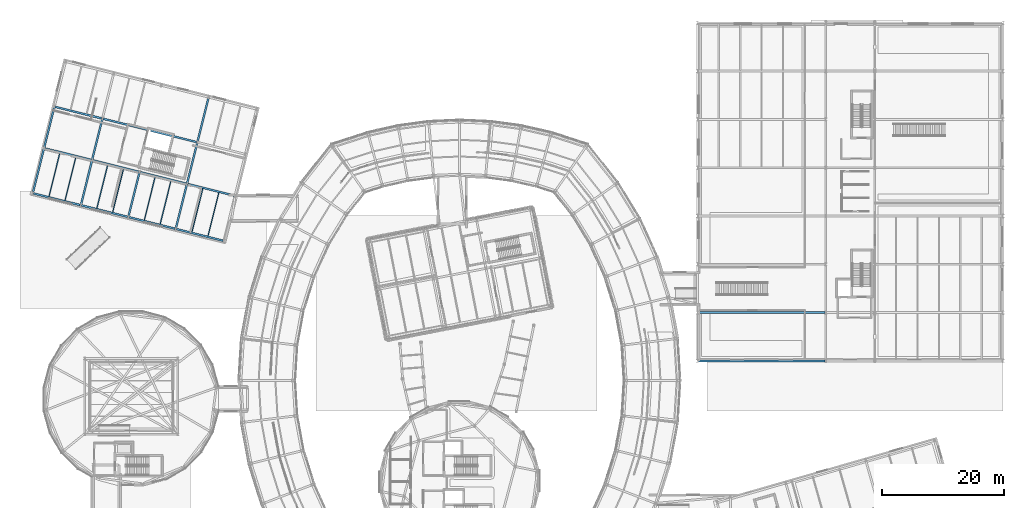
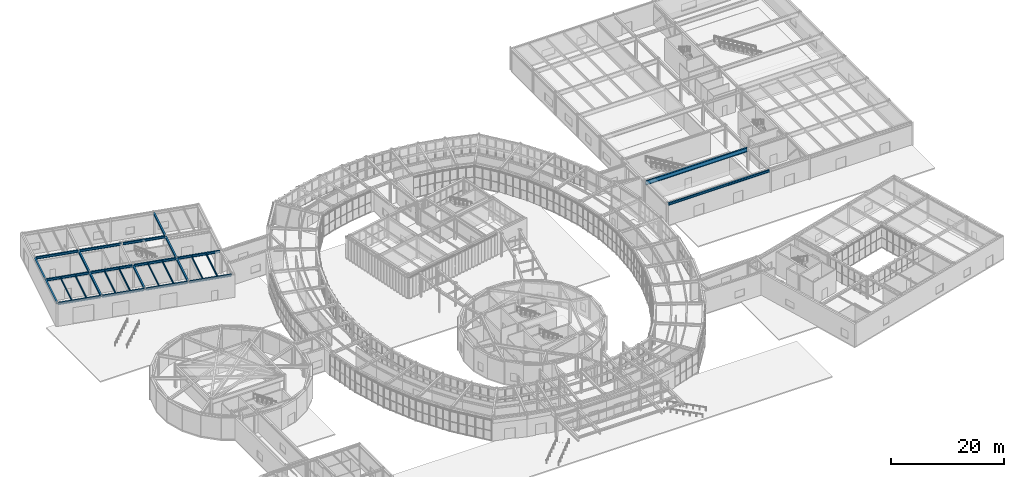
# One storey, part 39 of 97: 29 beams.
"""IFC4 building model written with IfcOpenShell, lengths in metres."""

import ifcopenshell
import ifcopenshell.guid

model = None  # the IFC model being written
_history = None  # IfcOwnerHistory: only IFC2X3 demands one
_inside = {}  # id of a spatial element -> (the spatial element, [elements in it])
_under = {}  # id of a project, library or spatial element -> (it, [spatial elements below it])
_declared = {}  # id of a project -> (the project, [libraries it declares])
_typed = {}  # id of a type object -> (the type object, [elements of that type])
_made_of = {}  # id of a material, layer set ... -> (it, [elements and type objects made of it])


def new_model(schema):
    """Start an empty IFC model of exactly this schema.

    Asked for "IFC4X3", IfcOpenShell would pick the latest addendum, in which some entities
    have other attributes; the version numbers below select the first issue.
    IFC2X3 requires an IfcOwnerHistory on every rooted entity: one is made here for all.
    """
    global model, _history
    if schema == "IFC4X3":
        model = ifcopenshell.file(schema_version=(4, 3, 0, 0))
    else:
        model = ifcopenshell.file(schema=schema)
    _inside.clear()
    _under.clear()
    _declared.clear()
    _typed.clear()
    _made_of.clear()
    _history = None
    if model.schema == "IFC2X3":
        org = make("IfcOrganization", Name="unknown")
        user = make(
            "IfcPersonAndOrganization",
            ThePerson=make("IfcPerson", FamilyName="unknown"),
            TheOrganization=org,
        )
        app = make(
            "IfcApplication",
            ApplicationDeveloper=org,
            Version="unknown",
            ApplicationFullName="unknown",
            ApplicationIdentifier="unknown",
        )
        _history = make(
            "IfcOwnerHistory",
            OwningUser=user,
            OwningApplication=app,
            ChangeAction="ADDED",
            CreationDate=0,
        )
    return model


def make(cls, **values):
    """One entity of the class cls with the attributes given. An attribute that is None is left unset."""
    return model.create_entity(
        cls, **{name: value for name, value in values.items() if value is not None}
    )


def rooted(cls, **values):
    """An entity with a GlobalId (a new one), such as an element, a storey or a relation."""
    return make(cls, GlobalId=ifcopenshell.guid.new(), OwnerHistory=_history, **values)


def si_unit(unit_type, name, prefix=None):
    """IfcSIUnit, for example si_unit("LENGTHUNIT", "METRE", prefix="MILLI")."""
    return make("IfcSIUnit", UnitType=unit_type, Prefix=prefix, Name=name)


def assignment(units):
    """IfcUnitAssignment: the units of a project."""
    return None if units is None else make("IfcUnitAssignment", Units=units)


def point(xyz):
    """IfcCartesianPoint."""
    return None if xyz is None else make("IfcCartesianPoint", Coordinates=xyz)


def direction(xyz):
    """IfcDirection."""
    return None if xyz is None else make("IfcDirection", DirectionRatios=xyz)


def frame(location, z_axis=None, x_axis=None):
    """IfcAxis2Placement3D, a coordinate frame: its origin and axes. An axis left out is left unset."""
    return make(
        "IfcAxis2Placement3D",
        Location=point(location),
        Axis=direction(z_axis),
        RefDirection=direction(x_axis),
    )


def frame_2d(location, x_axis=None):
    """IfcAxis2Placement2D, a coordinate frame in the plane: its origin and x axis."""
    return make(
        "IfcAxis2Placement2D", Location=point(location), RefDirection=direction(x_axis)
    )


def origin():
    """The frame at (0, 0, 0) with its axes left unset."""
    return frame((0.0, 0.0, 0.0))


def origin_2d():
    """The frame at (0, 0) in the plane with its x axis left unset."""
    return frame_2d((0.0, 0.0))


def place(relative_to, where):
    """IfcLocalPlacement: puts the frame where relative to a parent placement (None: the world)."""
    return make(
        "IfcLocalPlacement", PlacementRelTo=relative_to, RelativePlacement=where
    )


def context(
    kind, dimensions, precision=None, world=None, true_north=None, identifier=None
):
    """IfcGeometricRepresentationContext, for example the 3D "Model" context."""
    return make(
        "IfcGeometricRepresentationContext",
        ContextIdentifier=identifier,
        ContextType=kind,
        CoordinateSpaceDimension=dimensions,
        Precision=precision,
        WorldCoordinateSystem=world,
        TrueNorth=true_north,
    )


def subcontext(parent, identifier, kind, view, scale=None):
    """IfcGeometricRepresentationSubContext, for example "Body" below "Model"."""
    return make(
        "IfcGeometricRepresentationSubContext",
        ContextIdentifier=identifier,
        ContextType=kind,
        ParentContext=parent,
        TargetScale=scale,
        TargetView=view,
    )


def project(units=None, contexts=None):
    """IfcProject with its units and contexts."""
    return rooted(
        "IfcProject",
        Name="project",
        RepresentationContexts=contexts,
        UnitsInContext=assignment(units),
    )


def spatial(cls, under=None, at=None, **own):
    """A site, building, storey or space (cls), placed at a placement, below another one or the project."""
    s = rooted(cls, ObjectPlacement=at, **own)
    if under is not None:
        _under.setdefault(under.id(), (under, []))[1].append(s)
    return s


def profile(cls, at=None, kind="AREA", **sizes):
    """A parametric profile (cls). Its sizes go by their IFC names, for example OverallWidth=200.0."""
    return make(cls, ProfileType=kind, Position=at, **sizes)


def i_section(**sizes):
    """IfcIShapeProfileDef."""
    return profile("IfcIShapeProfileDef", **sizes)


def extrude(swept, where, along, depth):
    """IfcExtrudedAreaSolid: the profile swept, set in the frame where, extruded along a direction by depth."""
    return make(
        "IfcExtrudedAreaSolid",
        SweptArea=swept,
        Position=where,
        ExtrudedDirection=direction(along),
        Depth=depth,
    )


def shape(context_of_items, identifier, shape_type, items):
    """IfcShapeRepresentation: the items that make up one representation, for example the "Body"."""
    return make(
        "IfcShapeRepresentation",
        ContextOfItems=context_of_items,
        RepresentationIdentifier=identifier,
        RepresentationType=shape_type,
        Items=items,
    )


def material(Name=None, Category=None):
    """IfcMaterial."""
    return make("IfcMaterial", Name=Name, Category=Category)


def material_profile(
    of_material, cross_section, Name=None, Category=None, Priority=None
):
    """IfcMaterialProfile: a cross section and its material."""
    return make(
        "IfcMaterialProfile",
        Name=Name,
        Material=of_material,
        Profile=cross_section,
        Priority=Priority,
        Category=Category,
    )


def profile_set(profiles, Name=None, composite=None):
    """IfcMaterialProfileSet."""
    return make(
        "IfcMaterialProfileSet",
        Name=Name,
        MaterialProfiles=profiles,
        CompositeProfile=composite,
    )


def made_of(thing, what):
    """Note that an element or type object is made of a material, layer set ...; save() writes the relation."""
    if what is not None:
        _made_of.setdefault(what.id(), (what, []))[1].append(thing)
    return thing


def type_object(cls, material=None, **own):
    """A type object (cls), such as IfcWallType, which elements share."""
    return made_of(rooted(cls, **own), material)


def element(
    cls,
    number,
    at=None,
    inside=None,
    cuts=None,
    type_object=None,
    material=None,
    context=None,
    identifier="Body",
    shape_type=None,
    held_by="IfcProductDefinitionShape",
    body=None,
    shapes=None,
    **own,
):
    """One element of the class cls, such as IfcWall. Its Tag is "e" and its number.

    at: its placement. inside: the storey or other place that contains it. cuts: it is an
    opening in that element (IfcRelVoidsElement). A single representation is given by context,
    identifier, shape_type and body (its items); several are given by shapes. held_by: the class
    of the entity that holds the representations. save() writes the other relations.
    """
    e = rooted(cls, Tag="e%d" % number, ObjectPlacement=at, **own)
    if body is not None:
        shapes = [shape(context, identifier, shape_type, body)]
    if shapes is not None:
        e.Representation = make(held_by, Representations=shapes)
    if inside is not None:
        _inside.setdefault(inside.id(), (inside, []))[1].append(e)
    if cuts is not None:
        rooted(
            "IfcRelVoidsElement", RelatingBuildingElement=cuts, RelatedOpeningElement=e
        )
    if type_object is not None:
        _typed.setdefault(type_object.id(), (type_object, []))[1].append(e)
    return made_of(e, material)


def aggregate(whole, parts):
    """IfcRelAggregates: a whole, such as a stair, and the parts it consists of."""
    return rooted("IfcRelAggregates", RelatingObject=whole, RelatedObjects=parts)


def save(model, path):
    """Write the relations noted so far, then the file.

    IfcRelAggregates (storeys below a building ...), IfcRelContainedInSpatialStructure (elements
    in a storey), IfcRelDefinesByType, IfcRelAssociatesMaterial and IfcRelDeclares: one each for
    every whole, place, type object, material and project.
    """
    for whole, parts in _under.values():
        aggregate(whole, parts)
    for where, things in _inside.values():
        rooted(
            "IfcRelContainedInSpatialStructure",
            RelatedElements=things,
            RelatingStructure=where,
        )
    for kind, things in _typed.values():
        rooted("IfcRelDefinesByType", RelatedObjects=things, RelatingType=kind)
    for what, things in _made_of.values():
        rooted("IfcRelAssociatesMaterial", RelatedObjects=things, RelatingMaterial=what)
    for by, libraries in _declared.values():
        rooted("IfcRelDeclares", RelatingContext=by, RelatedDefinitions=libraries)
    model.write(path)


model = new_model("IFC4")

# Units and contexts
model_context = context("Model", 3, precision=1e-05, world=origin(), true_north=direction((0.0, 1.0)))
body_context = subcontext(model_context, "Body", "Model", "MODEL_VIEW")
ifc_project = project(units=[si_unit("LENGTHUNIT", "METRE"), si_unit("AREAUNIT", "SQUARE_METRE"), si_unit("VOLUMEUNIT", "CUBIC_METRE"), si_unit("PLANEANGLEUNIT", "RADIAN"), si_unit("MASSUNIT", "GRAM", prefix="KILO")], contexts=[model_context])

# Site, building, storey
site_placement = place(None, origin())
site = spatial("IfcSite", under=ifc_project, at=site_placement, CompositionType="ELEMENT")
building_placement = place(site_placement, origin())
building = spatial("IfcBuilding", under=site, at=building_placement, Name="Varnklinge Art Gallery", CompositionType="ELEMENT")
storey_placement = place(building_placement, origin())
storey = spatial("IfcBuildingStorey", under=building, at=storey_placement, Name="L00", CompositionType="ELEMENT", Elevation=0.0)

# Beams
ifc_material_1 = material(Name="Steel S355", Category="steel")
ifc_material_profile_1 = material_profile(ifc_material_1, i_section(OverallWidth=0.300048828125, OverallDepth=0.89990234375, WebThickness=0.0185546875, FlangeThickness=0.034912109375, FilletRadius=0.030029296875, at=origin_2d()), Name="HEB 900")
ifc_profile_set_1 = profile_set([ifc_material_profile_1], Name="Steel S355")
beam_type_1 = type_object("IfcBeamType", Name="BM-02", PredefinedType="BEAM", material=ifc_profile_set_1)
beam_1_placement = place(storey_placement, frame((114.5400390625, 66.10009765625, 4.429931640625), z_axis=(1.0, 0.0, 0.0), x_axis=(0.0, 1.0, 0.0)))
element("IfcBeam", 1, at=beam_1_placement, inside=storey, type_object=beam_type_1, Name="L00 BM-02 BM-V1-L01-X1-0", PredefinedType="BEAM", context=body_context, shape_type="SweptSolid", body=[
    extrude(i_section(OverallWidth=0.300048828125, OverallDepth=0.89990234375, WebThickness=0.0185546875, FlangeThickness=0.034912109375, FilletRadius=0.030029296875, at=origin_2d()), origin(), (0.0, 0.0, 1.0), 20.719970703125),
])
ifc_material_2 = material(Name="Steel S355", Category="steel")
ifc_material_profile_2 = material_profile(ifc_material_2, i_section(OverallWidth=0.300048828125, OverallDepth=0.489990234375, WebThickness=0.011962890625, FlangeThickness=0.02294921875, FilletRadius=0.027099609375, at=origin_2d()), Name="HEA 500")
ifc_profile_set_2 = profile_set([ifc_material_profile_2], Name="Steel S355")
beam_type_2 = type_object("IfcBeamType", Name="BM-07", PredefinedType="BEAM", material=ifc_profile_set_2)
beam_2_placement = place(storey_placement, frame((5.82861328125, 85.5908203125, 4.635009765625), z_axis=(0.970296564102, -0.241918535239, 0.0), x_axis=(0.241918535239, 0.970296564102, 0.0)))
element("IfcBeam", 2, at=beam_2_placement, inside=storey, type_object=beam_type_2, Name="L00 BM-07 BM-V5-L01-U0-0", PredefinedType="BEAM", context=body_context, shape_type="SweptSolid", body=[
    extrude(i_section(OverallWidth=0.300048828125, OverallDepth=0.489990234375, WebThickness=0.011962890625, FlangeThickness=0.02294921875, FilletRadius=0.027099609375, at=origin_2d()), origin(), (0.0, 0.0, 1.0), 7.820068359375),
])
beam_3_placement = place(storey_placement, frame((13.68798828125, 83.631103515625, 4.635009765625), z_axis=(0.970304122122, -0.241888219213, 0.0), x_axis=(0.241888219213, 0.970304122122, 0.0)))
element("IfcBeam", 3, at=beam_3_placement, inside=storey, type_object=beam_type_2, Name="L00 BM-07 BM-V5-L01-U0-1", PredefinedType="BEAM", context=body_context, shape_type="SweptSolid", body=[
    extrude(i_section(OverallWidth=0.300048828125, OverallDepth=0.489990234375, WebThickness=0.011962890625, FlangeThickness=0.02294921875, FilletRadius=0.027099609375, at=origin_2d()), origin(), (0.0, 0.0, 1.0), 7.72021484375),
])
beam_4_placement = place(storey_placement, frame((21.450439453125, 81.69580078125, 4.635009765625), z_axis=(0.970294848706, -0.241925415312, 0.0), x_axis=(0.241925415312, 0.970294848706, 0.0)))
element("IfcBeam", 4, at=beam_4_placement, inside=storey, type_object=beam_type_2, Name="L00 BM-07 BM-V5-L01-U0-2", PredefinedType="BEAM", context=body_context, shape_type="SweptSolid", body=[
    extrude(i_section(OverallWidth=0.300048828125, OverallDepth=0.489990234375, WebThickness=0.011962890625, FlangeThickness=0.02294921875, FilletRadius=0.027099609375, at=origin_2d()), origin(), (0.0, 0.0, 1.0), 7.719970703125),
])
beam_5_placement = place(storey_placement, frame((29.212890625, 79.760498046875, 4.635009765625), z_axis=(0.970294736921, -0.241925863651, 0.0), x_axis=(0.241925863651, 0.970294736921, 0.0)))
element("IfcBeam", 5, at=beam_5_placement, inside=storey, type_object=beam_type_2, Name="L00 BM-07 BM-V5-L01-U0-3", PredefinedType="BEAM", context=body_context, shape_type="SweptSolid", body=[
    extrude(i_section(OverallWidth=0.300048828125, OverallDepth=0.489990234375, WebThickness=0.011962890625, FlangeThickness=0.02294921875, FilletRadius=0.027099609375, at=origin_2d()), origin(), (0.0, 0.0, 1.0), 7.81982421875),
])
beam_6_placement = place(storey_placement, frame((7.667236328125, 92.965087890625, 4.635009765625), z_axis=(0.970296564102, -0.241918535239, 0.0), x_axis=(0.241918535239, 0.970296564102, 0.0)))
element("IfcBeam", 6, at=beam_6_placement, inside=storey, type_object=beam_type_2, Name="L00 BM-07 BM-V5-L01-U1-0", PredefinedType="BEAM", context=body_context, shape_type="SweptSolid", body=[
    extrude(i_section(OverallWidth=0.300048828125, OverallDepth=0.489990234375, WebThickness=0.011962890625, FlangeThickness=0.02294921875, FilletRadius=0.027099609375, at=origin_2d()), origin(), (0.0, 0.0, 1.0), 7.820068359375),
])
beam_7_placement = place(storey_placement, frame((15.526611328125, 91.00537109375, 4.635009765625), z_axis=(0.970304122122, -0.241888219213, 0.0), x_axis=(0.241888219213, 0.970304122122, 0.0)))
element("IfcBeam", 7, at=beam_7_placement, inside=storey, type_object=beam_type_2, Name="L00 BM-07 BM-V5-L01-U1-1", PredefinedType="BEAM", context=body_context, shape_type="SweptSolid", body=[
    extrude(i_section(OverallWidth=0.300048828125, OverallDepth=0.489990234375, WebThickness=0.011962890625, FlangeThickness=0.02294921875, FilletRadius=0.027099609375, at=origin_2d()), origin(), (0.0, 0.0, 1.0), 7.72021484375),
])
beam_8_placement = place(storey_placement, frame((23.2890625, 89.070068359375, 4.635009765625), z_axis=(0.970294848706, -0.241925415312, 0.0), x_axis=(0.241925415312, 0.970294848706, 0.0)))
element("IfcBeam", 8, at=beam_8_placement, inside=storey, type_object=beam_type_2, Name="L00 BM-07 BM-V5-L01-U1-2", PredefinedType="BEAM", context=body_context, shape_type="SweptSolid", body=[
    extrude(i_section(OverallWidth=0.300048828125, OverallDepth=0.489990234375, WebThickness=0.011962890625, FlangeThickness=0.02294921875, FilletRadius=0.027099609375, at=origin_2d()), origin(), (0.0, 0.0, 1.0), 7.719970703125),
])
for number, where, z_axis, x_axis, name in (
    (9, (31.051513671875, 87.134765625, 4.635009765625), (0.970294736921, -0.241925863651, 0.0), (0.241925863651, 0.970294736921, 0.0), "L00 BM-07 BM-V5-L01-U1-3"),
    (10, (9.36083984375, 99.757080078125, 4.635009765625), (0.970294736921, -0.241925863651, 0.0), (0.241925863651, 0.970294736921, 0.0), "L00 BM-07 BM-V5-L01-U2-0"),
):
    element("IfcBeam", number, at=place(storey_placement, frame(where, z_axis=z_axis, x_axis=x_axis)), inside=storey, type_object=beam_type_2, Name=name, PredefinedType="BEAM", context=body_context, shape_type="SweptSolid", body=[
        extrude(i_section(OverallWidth=0.300048828125, OverallDepth=0.489990234375, WebThickness=0.011962890625, FlangeThickness=0.02294921875, FilletRadius=0.027099609375, at=origin_2d()), origin(), (0.0, 0.0, 1.0), 7.81982421875),
    ])
beam_9_placement = place(storey_placement, frame((17.22021484375, 97.797607421875, 4.635009765625), z_axis=(0.970294848706, -0.241925415312, 0.0), x_axis=(0.241925415312, 0.970294848706, 0.0)))
element("IfcBeam", 11, at=beam_9_placement, inside=storey, type_object=beam_type_2, Name="L00 BM-07 BM-V5-L01-U2-1", PredefinedType="BEAM", context=body_context, shape_type="SweptSolid", body=[
    extrude(i_section(OverallWidth=0.300048828125, OverallDepth=0.489990234375, WebThickness=0.011962890625, FlangeThickness=0.02294921875, FilletRadius=0.027099609375, at=origin_2d()), origin(), (0.0, 0.0, 1.0), 7.719970703125),
])
beam_10_placement = place(storey_placement, frame((24.982421875, 95.862060546875, 4.635009765625), z_axis=(0.970304122122, -0.241888219213, 0.0), x_axis=(0.241888219213, 0.970304122122, 0.0)))
element("IfcBeam", 12, at=beam_10_placement, inside=storey, type_object=beam_type_2, Name="L00 BM-07 BM-V5-L01-U2-2", PredefinedType="BEAM", context=body_context, shape_type="SweptSolid", body=[
    extrude(i_section(OverallWidth=0.300048828125, OverallDepth=0.489990234375, WebThickness=0.011962890625, FlangeThickness=0.02294921875, FilletRadius=0.027099609375, at=origin_2d()), origin(), (0.0, 0.0, 1.0), 7.72021484375),
])
ifc_material_3 = material(Name="Steel S355", Category="steel")
ifc_material_profile_3 = material_profile(ifc_material_3, i_section(OverallWidth=0.300048828125, OverallDepth=0.43994140625, WebThickness=0.011474609375, FlangeThickness=0.02099609375, FilletRadius=0.027099609375, at=origin_2d()), Name="HEA 450")
ifc_profile_set_3 = profile_set([ifc_material_profile_3], Name="Steel S355")
beam_type_3 = type_object("IfcBeamType", Name="BM-08", PredefinedType="BEAM", material=ifc_profile_set_3)
beam_11_placement = place(storey_placement, frame((5.726806640625, 85.760498046875, 4.659912109375), z_axis=(0.241907757102, 0.97029925129, 0.0), x_axis=(-0.97029925129, 0.241907757102, 0.0)))
element("IfcBeam", 13, at=beam_11_placement, inside=storey, type_object=beam_type_3, Name="L00 BM-08 BM-V5-L01-V0-0", PredefinedType="BEAM", context=body_context, shape_type="SweptSolid", body=[
    extrude(i_section(OverallWidth=0.300048828125, OverallDepth=0.43994140625, WebThickness=0.011474609375, FlangeThickness=0.02099609375, FilletRadius=0.027099609375, at=origin_2d()), origin(), (0.0, 0.0, 1.0), 7.320068359375),
])
beam_12_placement = place(storey_placement, frame((7.5654296875, 93.134765625, 4.659912109375), z_axis=(0.241920106756, 0.970296172283, 0.0), x_axis=(-0.970296172283, 0.241920106756, 0.0)))
element("IfcBeam", 14, at=beam_12_placement, inside=storey, type_object=beam_type_3, Name="L00 BM-08 BM-V5-L01-V0-1", PredefinedType="BEAM", context=body_context, shape_type="SweptSolid", body=[
    extrude(i_section(OverallWidth=0.300048828125, OverallDepth=0.43994140625, WebThickness=0.011474609375, FlangeThickness=0.02099609375, FilletRadius=0.027099609375, at=origin_2d()), origin(), (0.0, 0.0, 1.0), 6.72021484375),
])
beam_13_placement = place(storey_placement, frame((13.586181640625, 83.80078125, 4.659912109375), z_axis=(0.241899928684, 0.970301202979, 0.0), x_axis=(-0.970301202979, 0.241899928684, 0.0)))
element("IfcBeam", 15, at=beam_13_placement, inside=storey, type_object=beam_type_3, Name="L00 BM-08 BM-V5-L01-V1-0", PredefinedType="BEAM", context=body_context, shape_type="SweptSolid", body=[
    extrude(i_section(OverallWidth=0.300048828125, OverallDepth=0.43994140625, WebThickness=0.011474609375, FlangeThickness=0.02099609375, FilletRadius=0.027099609375, at=origin_2d()), origin(), (0.0, 0.0, 1.0), 7.320068359375),
])
beam_14_placement = place(storey_placement, frame((15.4248046875, 91.175048828125, 4.659912109375), z_axis=(0.241920106756, 0.970296172283, 0.0), x_axis=(-0.970296172283, 0.241920106756, 0.0)))
element("IfcBeam", 16, at=beam_14_placement, inside=storey, type_object=beam_type_3, Name="L00 BM-08 BM-V5-L01-V1-1", PredefinedType="BEAM", context=body_context, shape_type="SweptSolid", body=[
    extrude(i_section(OverallWidth=0.300048828125, OverallDepth=0.43994140625, WebThickness=0.011474609375, FlangeThickness=0.02099609375, FilletRadius=0.027099609375, at=origin_2d()), origin(), (0.0, 0.0, 1.0), 6.72021484375),
])
for number, where, z_axis, x_axis, name in (
    (17, (21.3486328125, 81.865478515625, 4.659912109375), (0.241899928684, 0.970301202979, 0.0), (-0.970301202979, 0.241899928684, 0.0), "L00 BM-08 BM-V5-L01-V2-0"),
    (18, (29.11083984375, 79.93017578125, 4.659912109375), (0.241907757102, 0.97029925129, 0.0), (-0.97029925129, 0.241907757102, 0.0), "L00 BM-08 BM-V5-L01-V3-0"),
):
    element("IfcBeam", number, at=place(storey_placement, frame(where, z_axis=z_axis, x_axis=x_axis)), inside=storey, type_object=beam_type_3, Name=name, PredefinedType="BEAM", context=body_context, shape_type="SweptSolid", body=[
        extrude(i_section(OverallWidth=0.300048828125, OverallDepth=0.43994140625, WebThickness=0.011474609375, FlangeThickness=0.02099609375, FilletRadius=0.027099609375, at=origin_2d()), origin(), (0.0, 0.0, 1.0), 7.320068359375),
    ])
beam_15_placement = place(storey_placement, frame((30.949462890625, 87.304443359375, 4.659912109375), z_axis=(0.241920106756, 0.970296172283, 0.0), x_axis=(-0.970296172283, 0.241920106756, 0.0)))
element("IfcBeam", 19, at=beam_15_placement, inside=storey, type_object=beam_type_3, Name="L00 BM-08 BM-V5-L01-V3-1", PredefinedType="BEAM", context=body_context, shape_type="SweptSolid", body=[
    extrude(i_section(OverallWidth=0.300048828125, OverallDepth=0.43994140625, WebThickness=0.011474609375, FlangeThickness=0.02099609375, FilletRadius=0.027099609375, at=origin_2d()), origin(), (0.0, 0.0, 1.0), 6.72021484375),
])
beam_16_placement = place(storey_placement, frame((32.64306640625, 94.096435546875, 4.659912109375), z_axis=(0.241899928684, 0.970301202979, 0.0), x_axis=(-0.970301202979, 0.241899928684, 0.0)))
element("IfcBeam", 20, at=beam_16_placement, inside=storey, type_object=beam_type_3, Name="L00 BM-08 BM-V5-L01-V3-2", PredefinedType="BEAM", context=body_context, shape_type="SweptSolid", body=[
    extrude(i_section(OverallWidth=0.300048828125, OverallDepth=0.43994140625, WebThickness=0.011474609375, FlangeThickness=0.02099609375, FilletRadius=0.027099609375, at=origin_2d()), origin(), (0.0, 0.0, 1.0), 7.320068359375),
])
ifc_material_4 = material(Name="Steel S355", Category="steel")
ifc_material_profile_4 = material_profile(ifc_material_4, i_section(OverallWidth=0.169921875, OverallDepth=0.360107421875, WebThickness=0.008056640625, FlangeThickness=0.0126953125, FilletRadius=0.01806640625, at=origin_2d()), Name="IPE 360")
ifc_profile_set_4 = profile_set([ifc_material_profile_4], Name="Steel S355")
beam_type_4 = type_object("IfcBeamType", Name="JST-06", PredefinedType="JOIST", material=ifc_profile_set_4)
for number, where, z_axis, x_axis, name in (
    (21, (8.3466796875, 85.107421875, 4.699951171875), (0.241907757102, 0.97029925129, 0.0), (-0.97029925129, 0.241907757102, 0.0), "L00 JST-06 JST-V5-L01-0-0-1"),
    (22, (10.96630859375, 84.4541015625, 4.699951171875), (0.241939157724, 0.970291422182, 0.0), (-0.970291422182, 0.241939157724, 0.0), "L00 JST-06 JST-V5-L01-0-0-2"),
    (23, (16.173583984375, 83.15576171875, 4.699951171875), (0.241939157724, 0.970291422182, 0.0), (-0.970291422182, 0.241939157724, 0.0), "L00 JST-06 JST-V5-L01-1-0-1"),
    (24, (18.760986328125, 82.5107421875, 4.699951171875), (0.241939157724, 0.970291422182, 0.0), (-0.970291422182, 0.241939157724, 0.0), "L00 JST-06 JST-V5-L01-1-0-2"),
    (25, (23.93603515625, 81.220458984375, 4.699951171875), (0.241907757102, 0.97029925129, 0.0), (-0.97029925129, 0.241907757102, 0.0), "L00 JST-06 JST-V5-L01-2-0-1"),
    (26, (26.5234375, 80.5751953125, 4.699951171875), (0.241899928684, 0.970301202979, 0.0), (-0.970301202979, 0.241899928684, 0.0), "L00 JST-06 JST-V5-L01-2-0-2"),
    (27, (31.730712890625, 79.277099609375, 4.699951171875), (0.241907757102, 0.97029925129, 0.0), (-0.97029925129, 0.241907757102, 0.0), "L00 JST-06 JST-V5-L01-3-0-1"),
    (28, (34.3505859375, 78.623779296875, 4.699951171875), (0.241907757102, 0.97029925129, 0.0), (-0.97029925129, 0.241907757102, 0.0), "L00 JST-06 JST-V5-L01-3-0-2"),
):
    element("IfcBeam", number, at=place(storey_placement, frame(where, z_axis=z_axis, x_axis=x_axis)), inside=storey, type_object=beam_type_4, Name=name, PredefinedType="JOIST", context=body_context, shape_type="SweptSolid", body=[
        extrude(i_section(OverallWidth=0.169921875, OverallDepth=0.360107421875, WebThickness=0.008056640625, FlangeThickness=0.0126953125, FilletRadius=0.01806640625, at=origin_2d()), origin(), (0.0, 0.0, 1.0), 7.320068359375),
    ])
ifc_material_5 = material(Name="Steel S355", Category="steel")
ifc_material_profile_5 = material_profile(ifc_material_5, i_section(OverallWidth=0.300048828125, OverallDepth=0.489990234375, WebThickness=0.011962890625, FlangeThickness=0.02294921875, FilletRadius=0.027099609375, at=origin_2d()), Name="HEA 500")
ifc_profile_set_5 = profile_set([ifc_material_profile_5], Name="Steel S355")
beam_type_5 = type_object("IfcBeamType", Name="SPB-01", PredefinedType="SPANDREL", material=ifc_profile_set_5)
beam_17_placement = place(storey_placement, frame((114.5400390625, 58.199951171875, 4.635009765625), z_axis=(1.0, 0.0, 0.0), x_axis=(0.0, 1.0, 0.0)))
element("IfcBeam", 29, at=beam_17_placement, inside=storey, type_object=beam_type_5, Name="L00 SPB-01 BM-V1-L01-X0-0", PredefinedType="SPANDREL", context=body_context, shape_type="SweptSolid", body=[
    extrude(i_section(OverallWidth=0.300048828125, OverallDepth=0.489990234375, WebThickness=0.011962890625, FlangeThickness=0.02294921875, FilletRadius=0.027099609375, at=origin_2d()), origin(), (0.0, 0.0, 1.0), 20.719970703125),
])

save(model, "model.ifc")
